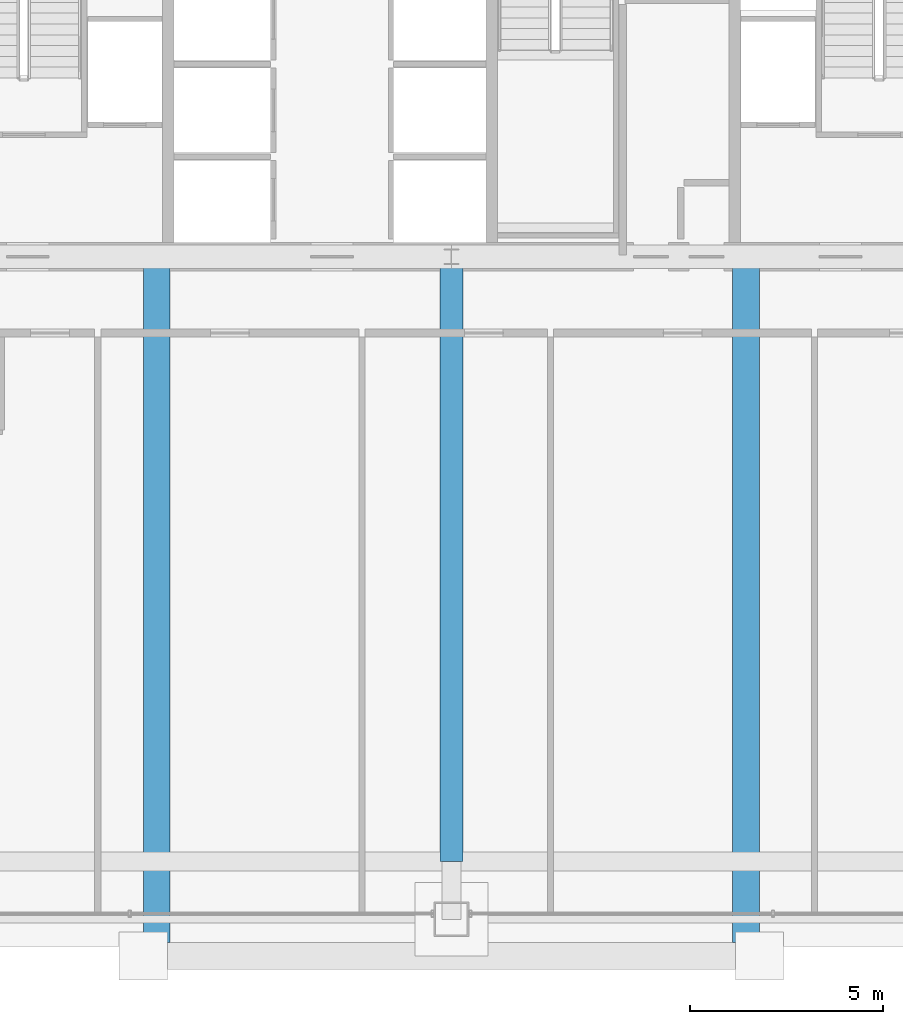
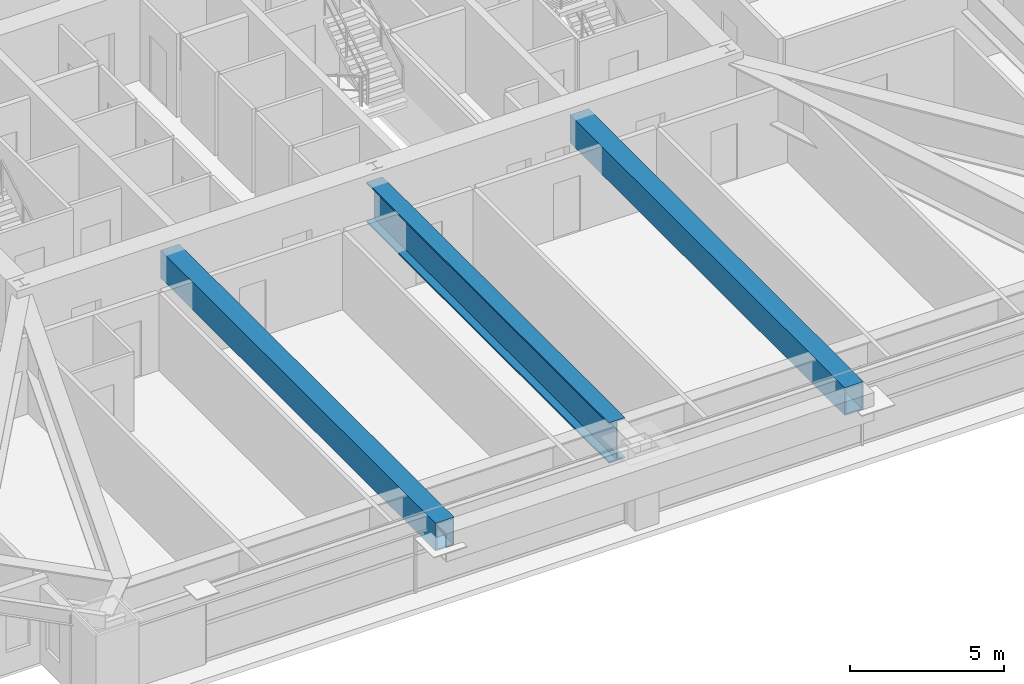
# One storey, part 11 of 45: 3 beams.
"""IFC4 building model written with IfcOpenShell, lengths in metres."""

from ifc_helpers import new_model, si_unit, direction, frame, origin, origin_2d, place, context, subcontext, project, spatial, hollow_rectangle, i_section, extrude, source, transform, mapped, material, material_profile, profile_set, type_object, element, save


model = new_model("IFC4")

# Units and contexts
model_context = context("Model", 3, precision=1e-05, world=origin(), true_north=direction((0.0, 1.0)))
body_context = subcontext(model_context, "Body", "Model", "MODEL_VIEW")
ifc_project = project(units=[si_unit("LENGTHUNIT", "METRE"), si_unit("AREAUNIT", "SQUARE_METRE"), si_unit("VOLUMEUNIT", "CUBIC_METRE"), si_unit("PLANEANGLEUNIT", "RADIAN"), si_unit("MASSUNIT", "GRAM", prefix="KILO"), si_unit("THERMODYNAMICTEMPERATUREUNIT", "KELVIN"), si_unit("POWERUNIT", "WATT")], contexts=[model_context])

# Site, building, storey
site_placement = place(None, origin())
site = spatial("IfcSite", under=ifc_project, at=site_placement, CompositionType="ELEMENT")
building_placement = place(site_placement, origin())
building = spatial("IfcBuilding", under=site, at=building_placement, Name="Yuzanri Waterfront Tower", CompositionType="ELEMENT")
storey_placement = place(building_placement, frame((0.0, 0.0, 163.199951171875)))
storey = spatial("IfcBuildingStorey", under=building, at=storey_placement, Name="L43", CompositionType="ELEMENT", Elevation=163.199951171875)

# Beams
ifc_material_1 = material(Name="Steel Q420GJC", Category="steel")
ifc_material_profile_1 = material_profile(ifc_material_1, i_section(OverallWidth=0.60009765625, OverallDepth=1.60009765625, WebThickness=0.031982421875, FlangeThickness=0.06005859375, at=origin_2d()), Name="PG 1600x600x32x60")
ifc_profile_set_1 = profile_set([ifc_material_profile_1], Name="Steel Q420GJC")
beam_type_1 = type_object("IfcBeamType", Name="Ballroom Transfer Girder Q420GJC PG 1600x600", PredefinedType="USERDEFINED", material=ifc_profile_set_1)
shared_shape_1 = source(origin(), body_context, "Body", "SweptSolid", [
    extrude(i_section(OverallWidth=0.60009765625, OverallDepth=1.60009765625, WebThickness=0.031982421875, FlangeThickness=0.06005859375, at=origin_2d()), origin(), (0.0, 0.0, 1.0), 15.699951171875),
])
beam_placement = place(storey_placement, frame((37.0, 19.39990234375, 2.25), z_axis=(0.0, -1.0, 0.0), x_axis=(1.0, 0.0, 0.0)))
element("IfcBeam", 1, at=beam_placement, inside=storey, type_object=beam_type_1, Name="L43 Setback Inner Transfer S2", ObjectType="GIRDER", PredefinedType="USERDEFINED", context=body_context, shape_type="MappedRepresentation", body=[
    mapped(shared_shape_1, transform((0.0, 0.0, 0.0), scale=1.0)),
])
ifc_material_2 = material(Name="Steel Q420GJC", Category="steel")
ifc_material_profile_2 = material_profile(ifc_material_2, hollow_rectangle(XDim=0.699951171875, YDim=1.10009765625, WallThickness=0.050048828125, at=origin_2d()), Name="RHS 1100x700x50")
ifc_profile_set_2 = profile_set([ifc_material_profile_2], Name="Steel Q420GJC")
beam_type_2 = type_object("IfcBeamType", Name="Sky Pool Cantilever Girder Q420GJC RHS 1100x700", PredefinedType="USERDEFINED", material=ifc_profile_set_2)
shared_shape_2 = source(origin(), body_context, "Body", "SweptSolid", [
    extrude(hollow_rectangle(XDim=0.699951171875, YDim=1.10009765625, WallThickness=0.050048828125, at=origin_2d()), origin(), (0.0, 0.0, 1.0), 17.7998046875),
])
for number, where, z_axis, x_axis, name in (
    (2, (29.35009765625, 19.39990234375, 2.5), (0.0, -1.0, 0.0), (1.0, 0.0, 0.0), "L44 Sky-Pool Continuous Cantilever Girder 1"),
    (3, (44.64990234375, 19.39990234375, 2.5), (0.0, -1.0, 0.0), (1.0, 0.0, 0.0), "L44 Sky-Pool Continuous Cantilever Girder 2"),
):
    element("IfcBeam", number, at=place(storey_placement, frame(where, z_axis=z_axis, x_axis=x_axis)), inside=storey, type_object=beam_type_2, Name=name, ObjectType="GIRDER", PredefinedType="USERDEFINED", context=body_context, shape_type="MappedRepresentation", body=[
        mapped(shared_shape_2, transform((0.0, 0.0, 0.0), scale=1.0)),
    ])

save(model, "model.ifc")
